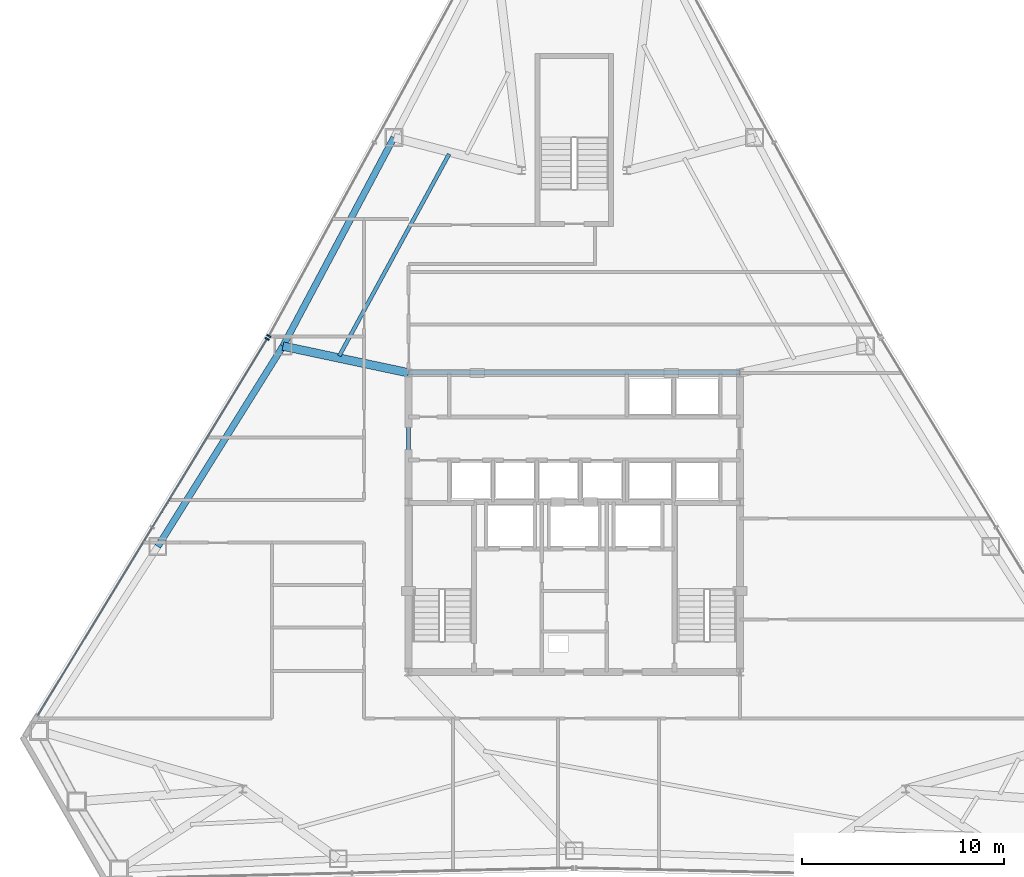
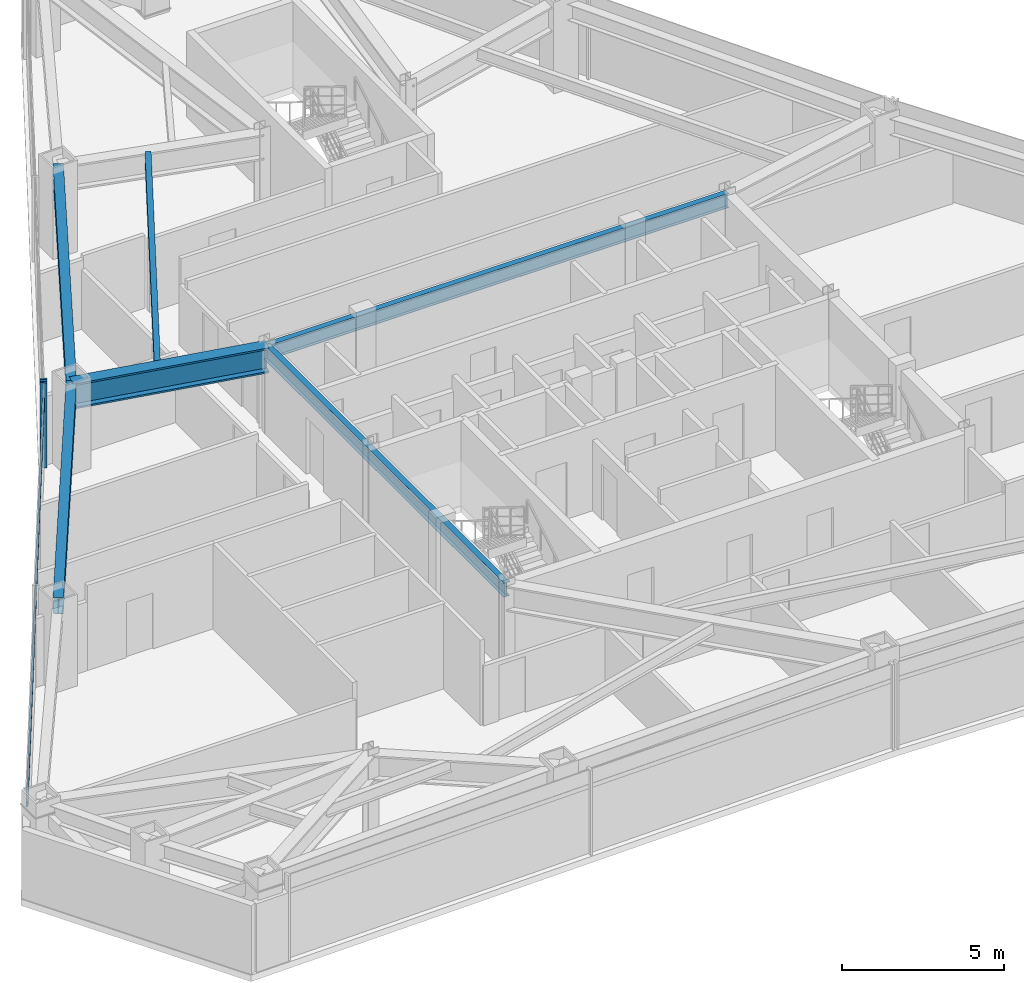
# One storey, part 4 of 11: 6 beams, 3 members, 2 elements without a shape of their own.
"""IFC4 building model written with IfcOpenShell, lengths in metres."""

from ifc_helpers import new_model, si_unit, direction, frame, origin, origin_2d, place, context, subcontext, project, spatial, rectangle, i_section, extrude, source, transform, mapped, material, layer, layer_set, material_profile, profile_set, type_object, type_shapes, element, aggregate, save


model = new_model("IFC4")

# Units and contexts
model_context = context("Model", 3, precision=1e-05, world=origin(), true_north=direction((0.0, 1.0)))
body_context = subcontext(model_context, "Body", "Model", "MODEL_VIEW")
ifc_project = project(units=[si_unit("LENGTHUNIT", "METRE"), si_unit("AREAUNIT", "SQUARE_METRE"), si_unit("VOLUMEUNIT", "CUBIC_METRE"), si_unit("PLANEANGLEUNIT", "RADIAN"), si_unit("MASSUNIT", "GRAM", prefix="KILO")], contexts=[model_context])

# Site, building, storey
site_placement = place(None, origin())
site = spatial("IfcSite", under=ifc_project, at=site_placement, CompositionType="ELEMENT")
building_placement = place(site_placement, origin())
building = spatial("IfcBuilding", under=site, at=building_placement, Name="Varakhsha Concourse Tower", CompositionType="ELEMENT")
storey_placement = place(building_placement, frame((0.0, 0.0, 150.5)))
storey = spatial("IfcBuildingStorey", under=building, at=storey_placement, Name="L43", CompositionType="ELEMENT", Elevation=150.5)

# Beams
ifc_material_1 = material(Name="Structural Steel ASTM A992 Grade 50", Category="steel")
ifc_material_profile_1 = material_profile(ifc_material_1, i_section(OverallWidth=0.19091796875, OverallDepth=0.45703125, WebThickness=0.009033203125, FlangeThickness=0.013916015625, at=origin_2d()), Name="W18X50")
ifc_profile_set_1 = profile_set([ifc_material_profile_1], Name="Structural Steel ASTM A992 Grade 50")
beam_type_1 = type_object("IfcBeamType", Name="BM-JST-W18X50", PredefinedType="JOIST", material=ifc_profile_set_1)
beam_1_placement = place(storey_placement, frame((33.806884765625, 42.022216796875, 2.9814453125), z_axis=(-0.477938544779, -0.878393276053, 0.0), x_axis=(0.878393276053, -0.477938544779, 0.0)))
element("IfcBeam", 1, at=beam_1_placement, inside=storey, type_object=beam_type_1, Name="BM-TJST-L43-04", PredefinedType="JOIST", context=body_context, shape_type="SweptSolid", body=[
    extrude(i_section(OverallWidth=0.19091796875, OverallDepth=0.45703125, WebThickness=0.009033203125, FlangeThickness=0.013916015625, at=origin_2d()), origin(), (0.0, 0.0, 1.0), 11.368408203125),
])
ifc_material_profile_2 = material_profile(ifc_material_1, i_section(OverallWidth=0.423095703125, OverallDepth=0.947998046875, WebThickness=0.0380859375, FlangeThickness=0.06396484375, at=origin_2d()), Name="W36X302")
ifc_profile_set_2 = profile_set([ifc_material_profile_2], Name="Structural Steel ASTM A992 Grade 50")
beam_type_2 = type_object("IfcBeamType", Name="BM-OUTR-W36X302", PredefinedType="USERDEFINED", material=ifc_profile_set_2)
beam_2_placement = place(storey_placement, frame((31.800048828125, 31.199951171875, 2.736083984375), z_axis=(-0.978129728728, 0.20799575423, 0.0), x_axis=(-0.20799575423, -0.978129728728, 0.0)))
element("IfcBeam", 2, at=beam_2_placement, inside=storey, type_object=beam_type_2, Name="L43 Radial Floor Girder 05", ObjectType="GIRDER", PredefinedType="USERDEFINED", context=body_context, shape_type="SweptSolid", body=[
    extrude(i_section(OverallWidth=0.423095703125, OverallDepth=0.947998046875, WebThickness=0.0380859375, FlangeThickness=0.06396484375, at=origin_2d()), origin(), (0.0, 0.0, 1.0), 6.351318359375),
])
ifc_material_profile_3 = material_profile(ifc_material_1, i_section(OverallWidth=0.2109375, OverallDepth=0.5390625, WebThickness=0.011962890625, FlangeThickness=0.01904296875, at=origin_2d()), Name="W21X73")
ifc_profile_set_3 = profile_set([ifc_material_profile_3], Name="Structural Steel ASTM A992 Grade 50")
beam_type_3 = type_object("IfcBeamType", Name="BM-RAD-W21X73", PredefinedType="BEAM", material=ifc_profile_set_3)
beam_3_placement = place(storey_placement, frame((31.800048828125, 31.199951171875, 2.9404296875), z_axis=(1.0, 0.0, 0.0), x_axis=(0.0, 1.0, 0.0)))
element("IfcBeam", 3, at=beam_3_placement, inside=storey, type_object=beam_type_3, Name="BM-TCORE-L43-CN", PredefinedType="BEAM", context=body_context, shape_type="SweptSolid", body=[
    extrude(i_section(OverallWidth=0.2109375, OverallDepth=0.5390625, WebThickness=0.011962890625, FlangeThickness=0.01904296875, at=origin_2d()), origin(), (0.0, 0.0, 1.0), 16.39990234375),
])
beam_4_placement = place(storey_placement, frame((31.800048828125, 16.39990234375, 2.9404296875), z_axis=(0.0, 1.0, 0.0), x_axis=(-1.0, 0.0, 0.0)))
element("IfcBeam", 4, at=beam_4_placement, inside=storey, type_object=beam_type_3, Name="BM-TCORE-L43-CW", PredefinedType="BEAM", context=body_context, shape_type="SweptSolid", body=[
    extrude(i_section(OverallWidth=0.2109375, OverallDepth=0.5390625, WebThickness=0.011962890625, FlangeThickness=0.01904296875, at=origin_2d()), origin(), (0.0, 0.0, 1.0), 14.800048828125),
])
ifc_material_profile_4 = material_profile(ifc_material_1, i_section(OverallWidth=0.323974609375, OverallDepth=0.611083984375, WebThickness=0.012939453125, FlangeThickness=0.01904296875, at=origin_2d()), Name="W24X104")
ifc_profile_set_4 = profile_set([ifc_material_profile_4], Name="Structural Steel ASTM A992 Grade 50")
beam_type_4 = type_object("IfcBeamType", Name="BM-SPAN-W24X104", PredefinedType="SPANDREL", material=ifc_profile_set_4)
for number, where, z_axis, x_axis, name in (
    (5, (31.077880859375, 42.8408203125, 2.904541015625), (-0.469677397523, -0.882838117809, 0.0), (0.882838117809, -0.469677397523, 0.0), "BM-SPAN-L43-04"),
    (6, (25.587646484375, 32.52099609375, 2.904541015625), (-0.529724816421, -0.848169569643, 0.0), (0.848169569643, -0.529724816421, 0.0), "BM-SPAN-L43-05"),
):
    element("IfcBeam", number, at=place(storey_placement, frame(where, z_axis=z_axis, x_axis=x_axis)), inside=storey, type_object=beam_type_4, Name=name, PredefinedType="SPANDREL", context=body_context, shape_type="SweptSolid", body=[
        extrude(i_section(OverallWidth=0.323974609375, OverallDepth=0.611083984375, WebThickness=0.012939453125, FlangeThickness=0.01904296875, at=origin_2d()), origin(), (0.0, 0.0, 1.0), 11.689453125),
    ])

# Curtain wall, member
ifc_material_2 = material(Name="Anodised Bronze Architectural Aluminium AA 6063-T6", Category="aluminium")
ifc_layer = layer(ifc_material_2, 0.2099609375, Name="CW-SYS-04")
ifc_layer_set = layer_set([ifc_layer], Name="Anodised Bronze Architectural Aluminium AA 6063-T6")
curtain_wall_type = type_object("IfcCurtainWallType", Name="CW-SYS-04", PredefinedType="NOTDEFINED", material=ifc_layer_set)
curtain_wall_1_placement = place(storey_placement, origin())
curtain_wall_1 = element("IfcCurtainWall", 7, at=curtain_wall_1_placement, inside=storey, type_object=curtain_wall_type, Name="L43 Crystal Curtain Wall F2", PredefinedType="NOTDEFINED")
ifc_material_profile_5 = material_profile(ifc_material_2, rectangle(XDim=0.074951171875, YDim=0.219970703125, at=origin_2d()), Name="CWM-220X75")
ifc_profile_set_5 = profile_set([ifc_material_profile_5], Name="Anodised Bronze Architectural Aluminium AA 6063-T6")
member_type_1 = type_object("IfcMemberType", Name="CWM-220X75", PredefinedType="MULLION", material=ifc_profile_set_5)
shared_shape_1 = source(origin(), body_context, "Body", "SweptSolid", [
    extrude(rectangle(XDim=0.074951171875, YDim=0.219970703125, at=origin_2d()), origin(), (0.0, 0.0, 1.0), 3.2099609375),
])
type_shapes(member_type_1, [shared_shape_1])
member_1_placement = place(storey_placement, frame((24.889892578125, 33.0205078125, 0.0), z_axis=(0.0, 0.0, 1.0), x_axis=(0.479595701913, 0.877489579828, 0.0)))
member_1 = element("IfcMember", 8, at=member_1_placement, type_object=member_type_1, Name="CW-L43-F2 Mullion 00", PredefinedType="MULLION", context=body_context, shape_type="MappedRepresentation", body=[
    mapped(shared_shape_1, transform((0.0, 0.0, 0.0), scale=1.0)),
])
aggregate(curtain_wall_1, [member_1])

# Curtain wall, members
curtain_wall_2_placement = place(storey_placement, origin())
curtain_wall_2 = element("IfcCurtainWall", 9, at=curtain_wall_2_placement, inside=storey, type_object=curtain_wall_type, Name="L43 Crystal Curtain Wall F3", PredefinedType="NOTDEFINED")
member_2_placement = place(storey_placement, frame((24.80615234375, 32.87548828125, 0.0), z_axis=(0.0, 0.0, 1.0), x_axis=(0.520125944735, 0.854089574701, 0.0)))
member_2 = element("IfcMember", 10, at=member_2_placement, type_object=member_type_1, Name="CW-L43-F3 Mullion 02", PredefinedType="MULLION", context=body_context, shape_type="MappedRepresentation", body=[
    mapped(shared_shape_1, transform((0.0, 0.0, 0.0), scale=1.0)),
])
ifc_material_profile_6 = material_profile(ifc_material_2, rectangle(XDim=0.06494140625, YDim=0.159912109375, at=origin_2d()), Name="CWT-160X65")
ifc_profile_set_6 = profile_set([ifc_material_profile_6], Name="Anodised Bronze Architectural Aluminium AA 6063-T6")
member_type_2 = type_object("IfcMemberType", Name="CWT-160X65", PredefinedType="USERDEFINED", material=ifc_profile_set_6)
shared_shape_2 = source(origin(), body_context, "Body", "SweptSolid", [
    extrude(rectangle(XDim=0.06494140625, YDim=0.159912109375, at=origin_2d()), origin(), (0.0, 0.0, 1.0), 21.829833984375),
])
type_shapes(member_type_2, [shared_shape_2])
member_3_placement = place(storey_placement, frame((13.451904296875, 14.23095703125, 2.56005859375), z_axis=(0.520127527533, 0.854088610803, 0.0), x_axis=(-0.854088610803, 0.520127527533, 0.0)))
member_3 = element("IfcMember", 11, at=member_3_placement, type_object=member_type_2, Name="CW-L43-F3 Transom 01", ObjectType="TRANSOM", PredefinedType="USERDEFINED", context=body_context, shape_type="MappedRepresentation", body=[
    mapped(shared_shape_2, transform((0.0, 0.0, 0.0), scale=1.0)),
])
aggregate(curtain_wall_2, [member_2, member_3])

save(model, "model.ifc")
